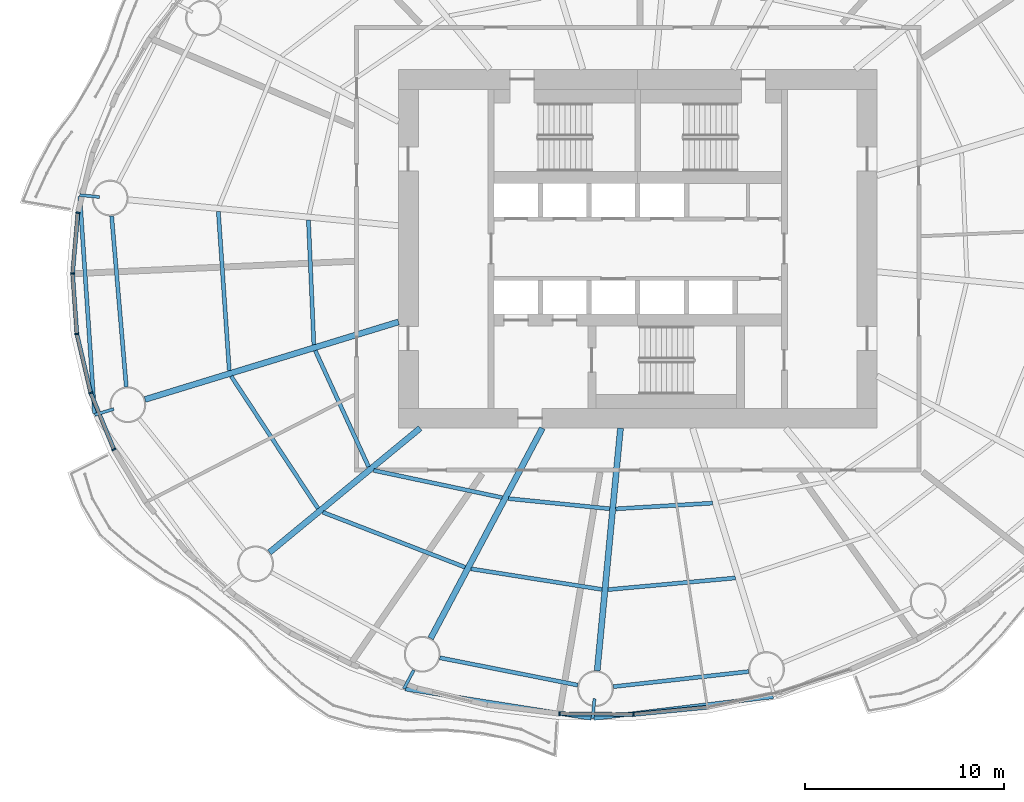
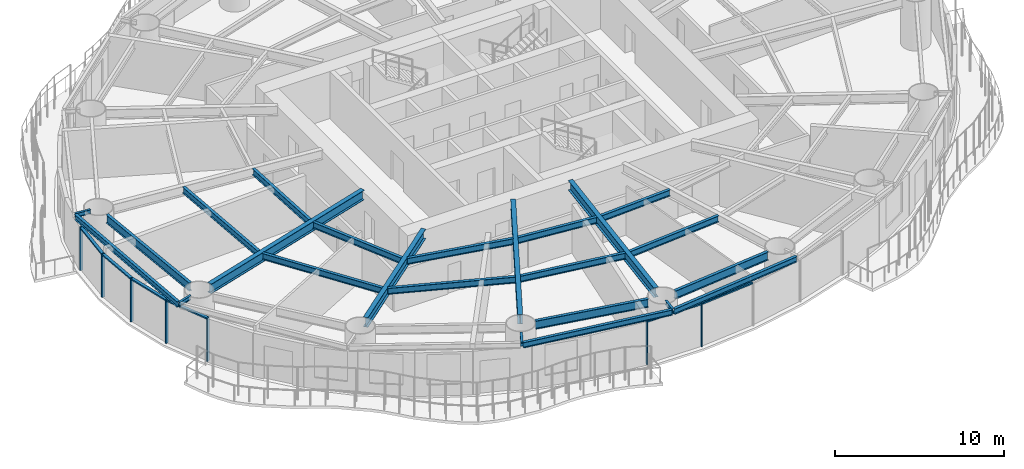
# One storey, part 2 of 16: 24 beams, 13 members, 6 elements without a shape of their own.
"""IFC4 building model written with IfcOpenShell, lengths in metres."""

import ifcopenshell
import ifcopenshell.guid

model = None  # the IFC model being written
_history = None  # IfcOwnerHistory: only IFC2X3 demands one
_inside = {}  # id of a spatial element -> (the spatial element, [elements in it])
_under = {}  # id of a project, library or spatial element -> (it, [spatial elements below it])
_declared = {}  # id of a project -> (the project, [libraries it declares])
_typed = {}  # id of a type object -> (the type object, [elements of that type])
_made_of = {}  # id of a material, layer set ... -> (it, [elements and type objects made of it])


def new_model(schema):
    """Start an empty IFC model of exactly this schema.

    Asked for "IFC4X3", IfcOpenShell would pick the latest addendum, in which some entities
    have other attributes; the version numbers below select the first issue.
    IFC2X3 requires an IfcOwnerHistory on every rooted entity: one is made here for all.
    """
    global model, _history
    if schema == "IFC4X3":
        model = ifcopenshell.file(schema_version=(4, 3, 0, 0))
    else:
        model = ifcopenshell.file(schema=schema)
    _inside.clear()
    _under.clear()
    _declared.clear()
    _typed.clear()
    _made_of.clear()
    _history = None
    if model.schema == "IFC2X3":
        org = make("IfcOrganization", Name="unknown")
        user = make(
            "IfcPersonAndOrganization",
            ThePerson=make("IfcPerson", FamilyName="unknown"),
            TheOrganization=org,
        )
        app = make(
            "IfcApplication",
            ApplicationDeveloper=org,
            Version="unknown",
            ApplicationFullName="unknown",
            ApplicationIdentifier="unknown",
        )
        _history = make(
            "IfcOwnerHistory",
            OwningUser=user,
            OwningApplication=app,
            ChangeAction="ADDED",
            CreationDate=0,
        )
    return model


def make(cls, **values):
    """One entity of the class cls with the attributes given. An attribute that is None is left unset."""
    return model.create_entity(
        cls, **{name: value for name, value in values.items() if value is not None}
    )


def rooted(cls, **values):
    """An entity with a GlobalId (a new one), such as an element, a storey or a relation."""
    return make(cls, GlobalId=ifcopenshell.guid.new(), OwnerHistory=_history, **values)


def si_unit(unit_type, name, prefix=None):
    """IfcSIUnit, for example si_unit("LENGTHUNIT", "METRE", prefix="MILLI")."""
    return make("IfcSIUnit", UnitType=unit_type, Prefix=prefix, Name=name)


def assignment(units):
    """IfcUnitAssignment: the units of a project."""
    return None if units is None else make("IfcUnitAssignment", Units=units)


def point(xyz):
    """IfcCartesianPoint."""
    return None if xyz is None else make("IfcCartesianPoint", Coordinates=xyz)


def direction(xyz):
    """IfcDirection."""
    return None if xyz is None else make("IfcDirection", DirectionRatios=xyz)


def frame(location, z_axis=None, x_axis=None):
    """IfcAxis2Placement3D, a coordinate frame: its origin and axes. An axis left out is left unset."""
    return make(
        "IfcAxis2Placement3D",
        Location=point(location),
        Axis=direction(z_axis),
        RefDirection=direction(x_axis),
    )


def frame_2d(location, x_axis=None):
    """IfcAxis2Placement2D, a coordinate frame in the plane: its origin and x axis."""
    return make(
        "IfcAxis2Placement2D", Location=point(location), RefDirection=direction(x_axis)
    )


def origin():
    """The frame at (0, 0, 0) with its axes left unset."""
    return frame((0.0, 0.0, 0.0))


def origin_2d():
    """The frame at (0, 0) in the plane with its x axis left unset."""
    return frame_2d((0.0, 0.0))


def place(relative_to, where):
    """IfcLocalPlacement: puts the frame where relative to a parent placement (None: the world)."""
    return make(
        "IfcLocalPlacement", PlacementRelTo=relative_to, RelativePlacement=where
    )


def context(
    kind, dimensions, precision=None, world=None, true_north=None, identifier=None
):
    """IfcGeometricRepresentationContext, for example the 3D "Model" context."""
    return make(
        "IfcGeometricRepresentationContext",
        ContextIdentifier=identifier,
        ContextType=kind,
        CoordinateSpaceDimension=dimensions,
        Precision=precision,
        WorldCoordinateSystem=world,
        TrueNorth=true_north,
    )


def subcontext(parent, identifier, kind, view, scale=None):
    """IfcGeometricRepresentationSubContext, for example "Body" below "Model"."""
    return make(
        "IfcGeometricRepresentationSubContext",
        ContextIdentifier=identifier,
        ContextType=kind,
        ParentContext=parent,
        TargetScale=scale,
        TargetView=view,
    )


def project(units=None, contexts=None):
    """IfcProject with its units and contexts."""
    return rooted(
        "IfcProject",
        Name="project",
        RepresentationContexts=contexts,
        UnitsInContext=assignment(units),
    )


def spatial(cls, under=None, at=None, **own):
    """A site, building, storey or space (cls), placed at a placement, below another one or the project."""
    s = rooted(cls, ObjectPlacement=at, **own)
    if under is not None:
        _under.setdefault(under.id(), (under, []))[1].append(s)
    return s


def profile(cls, at=None, kind="AREA", **sizes):
    """A parametric profile (cls). Its sizes go by their IFC names, for example OverallWidth=200.0."""
    return make(cls, ProfileType=kind, Position=at, **sizes)


def rectangle(**sizes):
    """IfcRectangleProfileDef."""
    return profile("IfcRectangleProfileDef", **sizes)


def i_section(**sizes):
    """IfcIShapeProfileDef."""
    return profile("IfcIShapeProfileDef", **sizes)


def extrude(swept, where, along, depth):
    """IfcExtrudedAreaSolid: the profile swept, set in the frame where, extruded along a direction by depth."""
    return make(
        "IfcExtrudedAreaSolid",
        SweptArea=swept,
        Position=where,
        ExtrudedDirection=direction(along),
        Depth=depth,
    )


def shape(context_of_items, identifier, shape_type, items):
    """IfcShapeRepresentation: the items that make up one representation, for example the "Body"."""
    return make(
        "IfcShapeRepresentation",
        ContextOfItems=context_of_items,
        RepresentationIdentifier=identifier,
        RepresentationType=shape_type,
        Items=items,
    )


def material(Name=None, Category=None):
    """IfcMaterial."""
    return make("IfcMaterial", Name=Name, Category=Category)


def material_profile(
    of_material, cross_section, Name=None, Category=None, Priority=None
):
    """IfcMaterialProfile: a cross section and its material."""
    return make(
        "IfcMaterialProfile",
        Name=Name,
        Material=of_material,
        Profile=cross_section,
        Priority=Priority,
        Category=Category,
    )


def profile_set(profiles, Name=None, composite=None):
    """IfcMaterialProfileSet."""
    return make(
        "IfcMaterialProfileSet",
        Name=Name,
        MaterialProfiles=profiles,
        CompositeProfile=composite,
    )


def made_of(thing, what):
    """Note that an element or type object is made of a material, layer set ...; save() writes the relation."""
    if what is not None:
        _made_of.setdefault(what.id(), (what, []))[1].append(thing)
    return thing


def type_object(cls, material=None, **own):
    """A type object (cls), such as IfcWallType, which elements share."""
    return made_of(rooted(cls, **own), material)


def element(
    cls,
    number,
    at=None,
    inside=None,
    cuts=None,
    type_object=None,
    material=None,
    context=None,
    identifier="Body",
    shape_type=None,
    held_by="IfcProductDefinitionShape",
    body=None,
    shapes=None,
    **own,
):
    """One element of the class cls, such as IfcWall. Its Tag is "e" and its number.

    at: its placement. inside: the storey or other place that contains it. cuts: it is an
    opening in that element (IfcRelVoidsElement). A single representation is given by context,
    identifier, shape_type and body (its items); several are given by shapes. held_by: the class
    of the entity that holds the representations. save() writes the other relations.
    """
    e = rooted(cls, Tag="e%d" % number, ObjectPlacement=at, **own)
    if body is not None:
        shapes = [shape(context, identifier, shape_type, body)]
    if shapes is not None:
        e.Representation = make(held_by, Representations=shapes)
    if inside is not None:
        _inside.setdefault(inside.id(), (inside, []))[1].append(e)
    if cuts is not None:
        rooted(
            "IfcRelVoidsElement", RelatingBuildingElement=cuts, RelatedOpeningElement=e
        )
    if type_object is not None:
        _typed.setdefault(type_object.id(), (type_object, []))[1].append(e)
    return made_of(e, material)


def aggregate(whole, parts):
    """IfcRelAggregates: a whole, such as a stair, and the parts it consists of."""
    return rooted("IfcRelAggregates", RelatingObject=whole, RelatedObjects=parts)


def save(model, path):
    """Write the relations noted so far, then the file.

    IfcRelAggregates (storeys below a building ...), IfcRelContainedInSpatialStructure (elements
    in a storey), IfcRelDefinesByType, IfcRelAssociatesMaterial and IfcRelDeclares: one each for
    every whole, place, type object, material and project.
    """
    for whole, parts in _under.values():
        aggregate(whole, parts)
    for where, things in _inside.values():
        rooted(
            "IfcRelContainedInSpatialStructure",
            RelatedElements=things,
            RelatingStructure=where,
        )
    for kind, things in _typed.values():
        rooted("IfcRelDefinesByType", RelatedObjects=things, RelatingType=kind)
    for what, things in _made_of.values():
        rooted("IfcRelAssociatesMaterial", RelatedObjects=things, RelatingMaterial=what)
    for by, libraries in _declared.values():
        rooted("IfcRelDeclares", RelatingContext=by, RelatedDefinitions=libraries)
    model.write(path)


model = new_model("IFC4")

# Units and contexts
model_context = context("Model", 3, precision=1e-05, world=origin(), true_north=direction((0.0, 1.0)))
body_context = subcontext(model_context, "Body", "Model", "MODEL_VIEW")
ifc_project = project(units=[si_unit("LENGTHUNIT", "METRE"), si_unit("AREAUNIT", "SQUARE_METRE"), si_unit("VOLUMEUNIT", "CUBIC_METRE"), si_unit("PLANEANGLEUNIT", "RADIAN"), si_unit("MASSUNIT", "GRAM", prefix="KILO")], contexts=[model_context])

# Site, building, storey
site_placement = place(None, origin())
site = spatial("IfcSite", under=ifc_project, at=site_placement, CompositionType="ELEMENT")
building_placement = place(site_placement, origin())
building = spatial("IfcBuilding", under=site, at=building_placement, Name="Vermilion Reach Broadcast Tower", CompositionType="ELEMENT")
storey_placement = place(building_placement, frame((0.0, 0.0, 69.300048828125)))
storey = spatial("IfcBuildingStorey", under=building, at=storey_placement, Name="L14", CompositionType="ELEMENT", Elevation=69.300048828125)

# Beams
ifc_material_1 = material(Name="Steel S355J2", Category="steel")
ifc_material_profile_1 = material_profile(ifc_material_1, i_section(OverallWidth=0.199951171875, OverallDepth=0.39990234375, WebThickness=0.008056640625, FlangeThickness=0.012939453125, at=origin_2d()), Name="S355J2 HN 400x200x8x13")
ifc_profile_set_1 = profile_set([ifc_material_profile_1], Name="Steel S355J2")
beam_type_1 = type_object("IfcBeamType", Name="EB1 HN 400x200x8x13", PredefinedType="BEAM", material=ifc_profile_set_1)
beam_1_placement = place(storey_placement, frame((-33.983154296875, 2.6142578125, 3.349853515625), z_axis=(0.067736980936, -0.997703213092, 0.0), x_axis=(0.997703213092, 0.067736980936, 0.0)))
element("IfcBeam", 1, at=beam_1_placement, inside=storey, type_object=beam_type_1, Name="Edge beam EB1-08", PredefinedType="BEAM", context=body_context, shape_type="SweptSolid", body=[
    extrude(i_section(OverallWidth=0.199951171875, OverallDepth=0.39990234375, WebThickness=0.008056640625, FlangeThickness=0.012939453125, at=origin_2d()), origin(), (0.0, 0.0, 1.0), 10.895751953125),
])
beam_2_placement = place(storey_placement, frame((-17.6513671875, -22.081787109375, 3.349853515625), z_axis=(0.987753304906, -0.15602374386, 0.0), x_axis=(0.15602374386, 0.987753304906, 0.0)))
element("IfcBeam", 2, at=beam_2_placement, inside=storey, type_object=beam_type_1, Name="Edge beam EB1-11", PredefinedType="BEAM", context=body_context, shape_type="SweptSolid", body=[
    extrude(i_section(OverallWidth=0.199951171875, OverallDepth=0.39990234375, WebThickness=0.008056640625, FlangeThickness=0.012939453125, at=origin_2d()), origin(), (0.0, 0.0, 1.0), 9.427734375),
])
beam_3_placement = place(storey_placement, frame((-8.188720703125, -23.555419921875, 3.349853515625), z_axis=(0.992750667769, 0.120191978284, 0.0), x_axis=(-0.120191978284, 0.992750667769, 0.0)))
element("IfcBeam", 3, at=beam_3_placement, inside=storey, type_object=beam_type_1, Name="Edge beam EB1-12", PredefinedType="BEAM", context=body_context, shape_type="SweptSolid", body=[
    extrude(i_section(OverallWidth=0.199951171875, OverallDepth=0.39990234375, WebThickness=0.008056640625, FlangeThickness=0.012939453125, at=origin_2d()), origin(), (0.0, 0.0, 1.0), 9.04931640625),
])
ifc_material_2 = material(Name="Steel S355J2", Category="steel")
ifc_material_profile_2 = material_profile(ifc_material_2, i_section(OverallWidth=0.300048828125, OverallDepth=0.699951171875, WebThickness=0.012939453125, FlangeThickness=0.02392578125, at=origin_2d()), Name="S355J2 HN 700x300x13x24")
ifc_profile_set_2 = profile_set([ifc_material_profile_2], Name="Steel S355J2")
beam_type_2 = type_object("IfcBeamType", Name="G1 HN 700x300x13x24", PredefinedType="BEAM", material=ifc_profile_set_2)
beam_4_placement = place(storey_placement, frame((-18.0, -3.671142578125, 3.199951171875), z_axis=(-0.956255735186, -0.292531996409, 0.0), x_axis=(0.292531996409, -0.956255735186, 0.0)))
element("IfcBeam", 4, at=beam_4_placement, inside=storey, type_object=beam_type_2, Name="Girder G1-09", PredefinedType="BEAM", context=body_context, shape_type="SweptSolid", body=[
    extrude(i_section(OverallWidth=0.300048828125, OverallDepth=0.699951171875, WebThickness=0.012939453125, FlangeThickness=0.02392578125, at=origin_2d()), origin(), (0.0, 0.0, 1.0), 13.29638671875),
])
beam_5_placement = place(storey_placement, frame((-16.9140625, -9.0, 3.199951171875), z_axis=(-0.771514256373, -0.636212034005, 0.0), x_axis=(0.636212034005, -0.771514256373, 0.0)))
element("IfcBeam", 5, at=beam_5_placement, inside=storey, type_object=beam_type_2, Name="Girder G1-10", PredefinedType="BEAM", context=body_context, shape_type="SweptSolid", body=[
    extrude(i_section(OverallWidth=0.300048828125, OverallDepth=0.699951171875, WebThickness=0.012939453125, FlangeThickness=0.02392578125, at=origin_2d()), origin(), (0.0, 0.0, 1.0), 9.796142578125),
])
beam_6_placement = place(storey_placement, frame((-10.783447265625, -9.0, 3.199951171875), z_axis=(-0.469312182262, -0.883032318537, 0.0), x_axis=(0.883032318537, -0.469312182262, 0.0)))
element("IfcBeam", 6, at=beam_6_placement, inside=storey, type_object=beam_type_2, Name="Girder G1-11", PredefinedType="BEAM", context=body_context, shape_type="SweptSolid", body=[
    extrude(i_section(OverallWidth=0.300048828125, OverallDepth=0.699951171875, WebThickness=0.012939453125, FlangeThickness=0.02392578125, at=origin_2d()), origin(), (0.0, 0.0, 1.0), 11.94091796875),
])
beam_7_placement = place(storey_placement, frame((-6.864990234375, -9.0, 3.199951171875), z_axis=(-0.09566673912, -0.995413419151, 0.0), x_axis=(0.995413419151, -0.09566673912, 0.0)))
element("IfcBeam", 7, at=beam_7_placement, inside=storey, type_object=beam_type_2, Name="Girder G1-12", PredefinedType="BEAM", context=body_context, shape_type="SweptSolid", body=[
    extrude(i_section(OverallWidth=0.300048828125, OverallDepth=0.699951171875, WebThickness=0.012939453125, FlangeThickness=0.02392578125, at=origin_2d()), origin(), (0.0, 0.0, 1.0), 12.22412109375),
])
ifc_material_3 = material(Name="Steel S355J2", Category="steel")
ifc_material_profile_3 = material_profile(ifc_material_3, i_section(OverallWidth=0.14990234375, OverallDepth=0.300048828125, WebThickness=0.006591796875, FlangeThickness=0.009033203125, at=origin_2d()), Name="S355J2 HN 300x150x6.5x9")
ifc_profile_set_3 = profile_set([ifc_material_profile_3], Name="Steel S355J2")
beam_type_3 = type_object("IfcBeamType", Name="GS1 HN 300x150x6.5x9", PredefinedType="BEAM", material=ifc_profile_set_3)
beam_8_placement = place(storey_placement, frame((-32.992919921875, 2.594482421875, 3.39990234375), z_axis=(-0.995432707577, 0.095465829939, 0.0), x_axis=(-0.095465829939, -0.995432707577, 0.0)))
element("IfcBeam", 8, at=beam_8_placement, inside=storey, type_object=beam_type_3, Name="Cantilever stub GS1-08", PredefinedType="BEAM", context=body_context, shape_type="SweptSolid", body=[
    extrude(i_section(OverallWidth=0.14990234375, OverallDepth=0.300048828125, WebThickness=0.006591796875, FlangeThickness=0.009033203125, at=origin_2d()), origin(), (0.0, 0.0, 1.0), 1.0),
])
beam_9_placement = place(storey_placement, frame((-32.28369140625, -8.040771484375, 3.39990234375), z_axis=(-0.956252944025, -0.292541120261, 0.0), x_axis=(0.292541120261, -0.956252944025, 0.0)))
element("IfcBeam", 9, at=beam_9_placement, inside=storey, type_object=beam_type_3, Name="Cantilever stub GS1-09", PredefinedType="BEAM", context=body_context, shape_type="SweptSolid", body=[
    extrude(i_section(OverallWidth=0.14990234375, OverallDepth=0.300048828125, WebThickness=0.006591796875, FlangeThickness=0.009033203125, at=origin_2d()), origin(), (0.0, 0.0, 1.0), 0.999755859375),
])
beam_10_placement = place(storey_placement, frame((-17.232177734375, -21.1337890625, 3.39990234375), z_axis=(-0.469463975059, -0.882951627283, 0.0), x_axis=(0.882951627283, -0.469463975059, 0.0)))
element("IfcBeam", 10, at=beam_10_placement, inside=storey, type_object=beam_type_3, Name="Cantilever stub GS1-11", PredefinedType="BEAM", context=body_context, shape_type="SweptSolid", body=[
    extrude(i_section(OverallWidth=0.14990234375, OverallDepth=0.300048828125, WebThickness=0.006591796875, FlangeThickness=0.009033203125, at=origin_2d()), origin(), (0.0, 0.0, 1.0), 1.059814453125),
])
beam_11_placement = place(storey_placement, frame((-8.169189453125, -22.569091796875, 3.39990234375), z_axis=(-0.095707754417, -0.995409476419, 0.0), x_axis=(0.995409476419, -0.095707754417, 0.0)))
element("IfcBeam", 11, at=beam_11_placement, inside=storey, type_object=beam_type_3, Name="Cantilever stub GS1-12", PredefinedType="BEAM", context=body_context, shape_type="SweptSolid", body=[
    extrude(i_section(OverallWidth=0.14990234375, OverallDepth=0.300048828125, WebThickness=0.006591796875, FlangeThickness=0.009033203125, at=origin_2d()), origin(), (0.0, 0.0, 1.0), 1.0),
])
ifc_material_4 = material(Name="Steel S355J2", Category="steel")
ifc_material_profile_4 = material_profile(ifc_material_4, i_section(OverallWidth=0.199951171875, OverallDepth=0.60009765625, WebThickness=0.010986328125, FlangeThickness=0.01708984375, at=origin_2d()), Name="S355J2 HN 600x200x11x17")
ifc_profile_set_4 = profile_set([ifc_material_profile_4], Name="Steel S355J2")
beam_type_4 = type_object("IfcBeamType", Name="RB1 HN 600x200x11x17", PredefinedType="BEAM", material=ifc_profile_set_4)
beam_12_placement = place(storey_placement, frame((-32.38720703125, 1.646728515625, 3.25), z_axis=(0.085395508608, -0.996347131832, 0.0), x_axis=(0.996347131832, 0.085395508608, 0.0)))
element("IfcBeam", 12, at=beam_12_placement, inside=storey, type_object=beam_type_4, Name="Ring beam RB1-08", PredefinedType="BEAM", context=body_context, shape_type="SweptSolid", body=[
    extrude(i_section(OverallWidth=0.199951171875, OverallDepth=0.60009765625, WebThickness=0.010986328125, FlangeThickness=0.01708984375, at=origin_2d()), origin(), (0.0, 0.0, 1.0), 8.60546875),
])
beam_13_placement = place(storey_placement, frame((-15.927001953125, -20.51416015625, 3.25), z_axis=(0.980857717995, -0.194725799651, 0.0), x_axis=(0.194725799651, 0.980857717995, 0.0)))
element("IfcBeam", 13, at=beam_13_placement, inside=storey, type_object=beam_type_4, Name="Ring beam RB1-11", PredefinedType="BEAM", context=body_context, shape_type="SweptSolid", body=[
    extrude(i_section(OverallWidth=0.199951171875, OverallDepth=0.60009765625, WebThickness=0.010986328125, FlangeThickness=0.01708984375, at=origin_2d()), origin(), (0.0, 0.0, 1.0), 7.05859375),
])
beam_14_placement = place(storey_placement, frame((-7.22607421875, -21.964111328125, 3.25), z_axis=(0.993851439324, 0.110721798009, 0.0), x_axis=(-0.110721798009, 0.993851439324, 0.0)))
element("IfcBeam", 14, at=beam_14_placement, inside=storey, type_object=beam_type_4, Name="Ring beam RB1-12", PredefinedType="BEAM", context=body_context, shape_type="SweptSolid", body=[
    extrude(i_section(OverallWidth=0.199951171875, OverallDepth=0.60009765625, WebThickness=0.010986328125, FlangeThickness=0.01708984375, at=origin_2d()), origin(), (0.0, 0.0, 1.0), 6.8310546875),
])
ifc_material_5 = material(Name="Steel S355J2", Category="steel")
ifc_material_profile_5 = material_profile(ifc_material_5, i_section(OverallWidth=0.199951171875, OverallDepth=0.449951171875, WebThickness=0.009033203125, FlangeThickness=0.013916015625, at=origin_2d()), Name="S355J2 HN 450x200x9x14")
ifc_profile_set_5 = profile_set([ifc_material_profile_5], Name="Steel S355J2")
beam_type_5 = type_object("IfcBeamType", Name="SB1 HN 450x200x9x14", PredefinedType="BEAM", material=ifc_profile_set_5)
beam_15_placement = place(storey_placement, frame((-22.51611328125, 1.436767578125, 3.324951171875), z_axis=(0.043361007512, -0.999059469215, 0.0), x_axis=(0.999059469215, 0.043361007512, 0.0)))
element("IfcBeam", 15, at=beam_15_placement, inside=storey, type_object=beam_type_5, Name="Secondary beam SB1-08-1", PredefinedType="BEAM", context=body_context, shape_type="SweptSolid", body=[
    extrude(i_section(OverallWidth=0.199951171875, OverallDepth=0.449951171875, WebThickness=0.009033203125, FlangeThickness=0.013916015625, at=origin_2d()), origin(), (0.0, 0.0, 1.0), 6.25537109375),
])
beam_16_placement = place(storey_placement, frame((-27.03515625, 1.87109375, 3.324951171875), z_axis=(0.068507801475, -0.997650580683, 0.0), x_axis=(0.997650580683, 0.068507801475, 0.0)))
element("IfcBeam", 16, at=beam_16_placement, inside=storey, type_object=beam_type_5, Name="Secondary beam SB1-08-2", PredefinedType="BEAM", context=body_context, shape_type="SweptSolid", body=[
    extrude(i_section(OverallWidth=0.199951171875, OverallDepth=0.449951171875, WebThickness=0.009033203125, FlangeThickness=0.013916015625, at=origin_2d()), origin(), (0.0, 0.0, 1.0), 8.00048828125),
])
beam_17_placement = place(storey_placement, frame((-22.175048828125, -5.105224609375, 3.324951171875), z_axis=(0.417211452529, -0.908809443106, 0.0), x_axis=(0.908809443106, 0.417211452529, 0.0)))
element("IfcBeam", 17, at=beam_17_placement, inside=storey, type_object=beam_type_5, Name="Secondary beam SB1-09-1", PredefinedType="BEAM", context=body_context, shape_type="SweptSolid", body=[
    extrude(i_section(OverallWidth=0.199951171875, OverallDepth=0.449951171875, WebThickness=0.009033203125, FlangeThickness=0.013916015625, at=origin_2d()), origin(), (0.0, 0.0, 1.0), 6.41650390625),
])
beam_18_placement = place(storey_placement, frame((-26.390625, -6.394775390625, 3.324951171875), z_axis=(0.548800909102, -0.835953086105, 0.0), x_axis=(0.835953086105, 0.548800909102, 0.0)))
element("IfcBeam", 18, at=beam_18_placement, inside=storey, type_object=beam_type_5, Name="Secondary beam SB1-09-2", PredefinedType="BEAM", context=body_context, shape_type="SweptSolid", body=[
    extrude(i_section(OverallWidth=0.199951171875, OverallDepth=0.449951171875, WebThickness=0.009033203125, FlangeThickness=0.013916015625, at=origin_2d()), origin(), (0.0, 0.0, 1.0), 7.935791015625),
])
beam_19_placement = place(storey_placement, frame((-19.24560546875, -11.1171875, 3.324951171875), z_axis=(0.978270372412, -0.207333254596, 0.0), x_axis=(0.207333254596, 0.978270372412, 0.0)))
element("IfcBeam", 19, at=beam_19_placement, inside=storey, type_object=beam_type_5, Name="Secondary beam SB1-10-1", PredefinedType="BEAM", context=body_context, shape_type="SweptSolid", body=[
    extrude(i_section(OverallWidth=0.199951171875, OverallDepth=0.449951171875, WebThickness=0.009033203125, FlangeThickness=0.013916015625, at=origin_2d()), origin(), (0.0, 0.0, 1.0), 6.584716796875),
])
beam_20_placement = place(storey_placement, frame((-21.7919921875, -13.217041015625, 3.324951171875), z_axis=(0.932680743753, -0.360702966765, 0.0), x_axis=(0.360702966765, 0.932680743753, 0.0)))
element("IfcBeam", 20, at=beam_20_placement, inside=storey, type_object=beam_type_5, Name="Secondary beam SB1-10-2", PredefinedType="BEAM", context=body_context, shape_type="SweptSolid", body=[
    extrude(i_section(OverallWidth=0.199951171875, OverallDepth=0.449951171875, WebThickness=0.009033203125, FlangeThickness=0.013916015625, at=origin_2d()), origin(), (0.0, 0.0, 1.0), 7.646240234375),
])
beam_21_placement = place(storey_placement, frame((-12.490234375, -12.531005859375, 3.324951171875), z_axis=(0.995010199331, -0.099773259079, 0.0), x_axis=(0.099773259079, 0.995010199331, 0.0)))
element("IfcBeam", 21, at=beam_21_placement, inside=storey, type_object=beam_type_5, Name="Secondary beam SB1-11-1", PredefinedType="BEAM", context=body_context, shape_type="SweptSolid", body=[
    extrude(i_section(OverallWidth=0.199951171875, OverallDepth=0.449951171875, WebThickness=0.009033203125, FlangeThickness=0.013916015625, at=origin_2d()), origin(), (0.0, 0.0, 1.0), 5.111572265625),
])
beam_22_placement = place(storey_placement, frame((-14.36279296875, -16.05419921875, 3.324951171875), z_axis=(0.987829548379, -0.155540294938, 0.0), x_axis=(0.155540294938, 0.987829548379, 0.0)))
element("IfcBeam", 22, at=beam_22_placement, inside=storey, type_object=beam_type_5, Name="Secondary beam SB1-11-2", PredefinedType="BEAM", context=body_context, shape_type="SweptSolid", body=[
    extrude(i_section(OverallWidth=0.199951171875, OverallDepth=0.449951171875, WebThickness=0.009033203125, FlangeThickness=0.013916015625, at=origin_2d()), origin(), (0.0, 0.0, 1.0), 6.650634765625),
])
beam_23_placement = place(storey_placement, frame((-7.103271484375, -13.046875, 3.324951171875), z_axis=(0.99823410974, 0.059402543307, 0.0), x_axis=(-0.059402543307, 0.99823410974, 0.0)))
element("IfcBeam", 23, at=beam_23_placement, inside=storey, type_object=beam_type_5, Name="Secondary beam SB1-12-1", PredefinedType="BEAM", context=body_context, shape_type="SweptSolid", body=[
    extrude(i_section(OverallWidth=0.199951171875, OverallDepth=0.449951171875, WebThickness=0.009033203125, FlangeThickness=0.013916015625, at=origin_2d()), origin(), (0.0, 0.0, 1.0), 4.85791015625),
])
beam_24_placement = place(storey_placement, frame((-7.49267578125, -17.09814453125, 3.324951171875), z_axis=(0.995818616382, 0.091352521952, 0.0), x_axis=(-0.091352521952, 0.995818616382, 0.0)))
element("IfcBeam", 24, at=beam_24_placement, inside=storey, type_object=beam_type_5, Name="Secondary beam SB1-12-2", PredefinedType="BEAM", context=body_context, shape_type="SweptSolid", body=[
    extrude(i_section(OverallWidth=0.199951171875, OverallDepth=0.449951171875, WebThickness=0.009033203125, FlangeThickness=0.013916015625, at=origin_2d()), origin(), (0.0, 0.0, 1.0), 6.4140625),
])

# Curtain wall, member
ifc_material_6 = material(Name="Low-e laminated clear glass in aluminium frame", Category="aluminium")
curtain_wall_type = type_object("IfcCurtainWallType", Name="Slot curtain wall", PredefinedType="NOTDEFINED", material=ifc_material_6)
placement = place(storey_placement, origin())
curtain_wall_1 = element("IfcCurtainWall", 25, at=placement, inside=storey, type_object=curtain_wall_type, Name="Slot curtain wall L14 22", PredefinedType="NOTDEFINED")
ifc_material_7 = material(Name="Anodised aluminium", Category="aluminium")
ifc_material_profile_6 = material_profile(ifc_material_7, rectangle(XDim=0.199951171875, YDim=0.080078125, at=origin_2d()), Name="Slot mullion 80 x 200")
ifc_profile_set_6 = profile_set([ifc_material_profile_6], Name="Anodised aluminium")
member_type_1 = type_object("IfcMemberType", Name="Slot mullion 80 x 200", PredefinedType="MULLION", material=ifc_profile_set_6)
member_1_placement = place(storey_placement, frame((-34.078369140625, 1.807373046875, 0.0), z_axis=(0.0, 0.0, 1.0), x_axis=(0.986476712785, -0.163901479957, 0.0)))
member_1 = element("IfcMember", 26, at=member_1_placement, type_object=member_type_1, Name="Slot mullion L14 22", PredefinedType="MULLION", context=body_context, shape_type="SweptSolid", body=[
    extrude(rectangle(XDim=0.199951171875, YDim=0.080078125, at=origin_2d()), origin(), (0.0, 0.0, 1.0), 3.14990234375),
])

curtain_wall_2 = element("IfcCurtainWall", 27, at=placement, inside=storey, type_object=curtain_wall_type, Name="Slot curtain wall L14 23", PredefinedType="NOTDEFINED")
member_2_placement = place(storey_placement, frame((-34.345703125, -1.24462890625, 0.0), z_axis=(0.0, 0.0, 1.0), x_axis=(0.999966516297, -0.008183293059, 0.0)))
member_2 = element("IfcMember", 28, at=member_2_placement, type_object=member_type_1, Name="Slot mullion L14 23", PredefinedType="MULLION", context=body_context, shape_type="SweptSolid", body=[
    extrude(rectangle(XDim=0.199951171875, YDim=0.080078125, at=origin_2d()), origin(), (0.0, 0.0, 1.0), 3.14990234375),
])

curtain_wall_3 = element("IfcCurtainWall", 29, at=placement, inside=storey, type_object=curtain_wall_type, Name="Slot curtain wall L14 24", PredefinedType="NOTDEFINED")
member_3_placement = place(storey_placement, frame((-34.13037109375, -4.2744140625, 0.0), z_axis=(0.0, 0.0, 1.0), x_axis=(0.988651749958, 0.150225554766, 0.0)))
member_3 = element("IfcMember", 30, at=member_3_placement, type_object=member_type_1, Name="Slot mullion L14 24", PredefinedType="MULLION", context=body_context, shape_type="SweptSolid", body=[
    extrude(rectangle(XDim=0.199951171875, YDim=0.080078125, at=origin_2d()), origin(), (0.0, 0.0, 1.0), 3.14990234375),
])

# Curtain wall, members
curtain_wall_4 = element("IfcCurtainWall", 31, at=placement, inside=storey, type_object=curtain_wall_type, Name="Slot curtain wall L14 25", PredefinedType="NOTDEFINED")
member_4_placement = place(storey_placement, frame((-33.43603515625, -7.2314453125, 0.0), z_axis=(0.0, 0.0, 1.0), x_axis=(0.952401795193, 0.304845568302, 0.0)))
member_4 = element("IfcMember", 32, at=member_4_placement, type_object=member_type_1, Name="Slot mullion L14 25", PredefinedType="MULLION", context=body_context, shape_type="SweptSolid", body=[
    extrude(rectangle(XDim=0.199951171875, YDim=0.080078125, at=origin_2d()), origin(), (0.0, 0.0, 1.0), 3.14990234375),
])
member_5_placement = place(storey_placement, frame((-32.274169921875, -10.066162109375, 0.0), z_axis=(0.0, 0.0, 1.0), x_axis=(0.893266050715, 0.449528378014, 0.0)))
member_5 = element("IfcMember", 33, at=member_5_placement, type_object=member_type_1, Name="Slot mullion L14 26", PredefinedType="MULLION", context=body_context, shape_type="SweptSolid", body=[
    extrude(rectangle(XDim=0.199951171875, YDim=0.080078125, at=origin_2d()), origin(), (0.0, 0.0, 1.0), 3.14990234375),
])

# Curtain wall, member
curtain_wall_5 = element("IfcCurtainWall", 34, at=placement, inside=storey, type_object=curtain_wall_type, Name="Slot curtain wall L14 34", PredefinedType="NOTDEFINED")
member_6_placement = place(storey_placement, frame((-9.9189453125, -23.319091796875, 0.0), z_axis=(0.0, 0.0, 1.0), x_axis=(0.065594701355, 0.99784634847, 0.0)))
member_6 = element("IfcMember", 35, at=member_6_placement, type_object=member_type_1, Name="Slot mullion L14 34", PredefinedType="MULLION", context=body_context, shape_type="SweptSolid", body=[
    extrude(rectangle(XDim=0.199951171875, YDim=0.080078125, at=origin_2d()), origin(), (0.0, 0.0, 1.0), 3.14990234375),
])

curtain_wall_6 = element("IfcCurtainWall", 36, at=placement, inside=storey, type_object=curtain_wall_type, Name="Slot curtain wall L14 35", PredefinedType="NOTDEFINED")
member_7_placement = place(storey_placement, frame((-6.214111328125, -23.359130859375, 0.0), z_axis=(0.0, 0.0, 1.0), x_axis=(-0.043167082942, 0.999067867039, 0.0)))
member_7 = element("IfcMember", 37, at=member_7_placement, type_object=member_type_1, Name="Slot mullion L14 35", PredefinedType="MULLION", context=body_context, shape_type="SweptSolid", body=[
    extrude(rectangle(XDim=0.199951171875, YDim=0.080078125, at=origin_2d()), origin(), (0.0, 0.0, 1.0), 3.14990234375),
])

# Member
ifc_material_8 = material(Name="Anodised aluminium", Category="aluminium")
ifc_material_profile_7 = material_profile(ifc_material_8, rectangle(XDim=0.199951171875, YDim=0.10009765625, at=origin_2d()), Name="Slot transom 200 x 100")
ifc_profile_set_7 = profile_set([ifc_material_profile_7], Name="Anodised aluminium")
member_type_2 = type_object("IfcMemberType", Name="Slot transom 200 x 100", PredefinedType="USERDEFINED", material=ifc_profile_set_7)
member_8_placement = place(storey_placement, frame((-34.08203125, 1.767578125, 3.099853515625), z_axis=(-0.087229885855, -0.99618820863, 0.0), x_axis=(0.99618820863, -0.087229885855, 0.0)))
member_8 = element("IfcMember", 38, at=member_8_placement, type_object=member_type_2, Name="Slot transom L14 22.1", ObjectType="TRANSOM", PredefinedType="USERDEFINED", context=body_context, shape_type="SweptSolid", body=[
    extrude(rectangle(XDim=0.199951171875, YDim=0.10009765625, at=origin_2d()), origin(), (0.0, 0.0, 1.0), 2.983642578125),
])

aggregate(curtain_wall_1, [member_1, member_8])

member_9_placement = place(storey_placement, frame((-34.3427734375, -1.284423828125, 3.099853515625), z_axis=(0.070912645276, -0.997482529541, 0.0), x_axis=(0.997482529541, 0.070912645276, 0.0)))
member_9 = element("IfcMember", 39, at=member_9_placement, type_object=member_type_2, Name="Slot transom L14 23.1", ObjectType="TRANSOM", PredefinedType="USERDEFINED", context=body_context, shape_type="SweptSolid", body=[
    extrude(rectangle(XDim=0.199951171875, YDim=0.10009765625, at=origin_2d()), origin(), (0.0, 0.0, 1.0), 2.957275390625),
])

aggregate(curtain_wall_2, [member_2, member_9])

member_10_placement = place(storey_placement, frame((-34.12109375, -4.313232421875, 3.099853515625), z_axis=(0.228565420585, -0.973528555571, 0.0), x_axis=(0.973528555571, 0.228565420585, 0.0)))
member_10 = element("IfcMember", 40, at=member_10_placement, type_object=member_type_2, Name="Slot transom L14 24.1", ObjectType="TRANSOM", PredefinedType="USERDEFINED", context=body_context, shape_type="SweptSolid", body=[
    extrude(rectangle(XDim=0.199951171875, YDim=0.10009765625, at=origin_2d()), origin(), (0.0, 0.0, 1.0), 2.957763671875),
])

aggregate(curtain_wall_3, [member_3, member_10])

member_11_placement = place(storey_placement, frame((-33.4208984375, -7.2685546875, 3.099853515625), z_axis=(0.379263614677, -0.925288663381, 0.0), x_axis=(0.925288663381, 0.379263614677, 0.0)))
member_11 = element("IfcMember", 41, at=member_11_placement, type_object=member_type_2, Name="Slot transom L14 25.1", ObjectType="TRANSOM", PredefinedType="USERDEFINED", context=body_context, shape_type="SweptSolid", body=[
    extrude(rectangle(XDim=0.199951171875, YDim=0.10009765625, at=origin_2d()), origin(), (0.0, 0.0, 1.0), 2.983642578125),
])

aggregate(curtain_wall_4, [member_4, member_5, member_11])

member_12_placement = place(storey_placement, frame((-9.87890625, -23.319580078125, 3.099853515625), z_axis=(0.999941937634, -0.010775962149, 0.0), x_axis=(0.010775962149, 0.999941937634, 0.0)))
member_12 = element("IfcMember", 42, at=member_12_placement, type_object=member_type_2, Name="Slot transom L14 34.1", ObjectType="TRANSOM", PredefinedType="USERDEFINED", context=body_context, shape_type="SweptSolid", body=[
    extrude(rectangle(XDim=0.199951171875, YDim=0.10009765625, at=origin_2d()), origin(), (0.0, 0.0, 1.0), 3.625),
])

aggregate(curtain_wall_5, [member_6, member_12])

member_13_placement = place(storey_placement, frame((-6.17431640625, -23.355224609375, 3.099853515625), z_axis=(0.995282049015, 0.097023929563, 0.0), x_axis=(-0.097023929563, 0.995282049015, 0.0)))
member_13 = element("IfcMember", 43, at=member_13_placement, type_object=member_type_2, Name="Slot transom L14 35.1", ObjectType="TRANSOM", PredefinedType="USERDEFINED", context=body_context, shape_type="SweptSolid", body=[
    extrude(rectangle(XDim=0.199951171875, YDim=0.10009765625, at=origin_2d()), origin(), (0.0, 0.0, 1.0), 3.64599609375),
])

aggregate(curtain_wall_6, [member_7, member_13])

save(model, "model.ifc")
